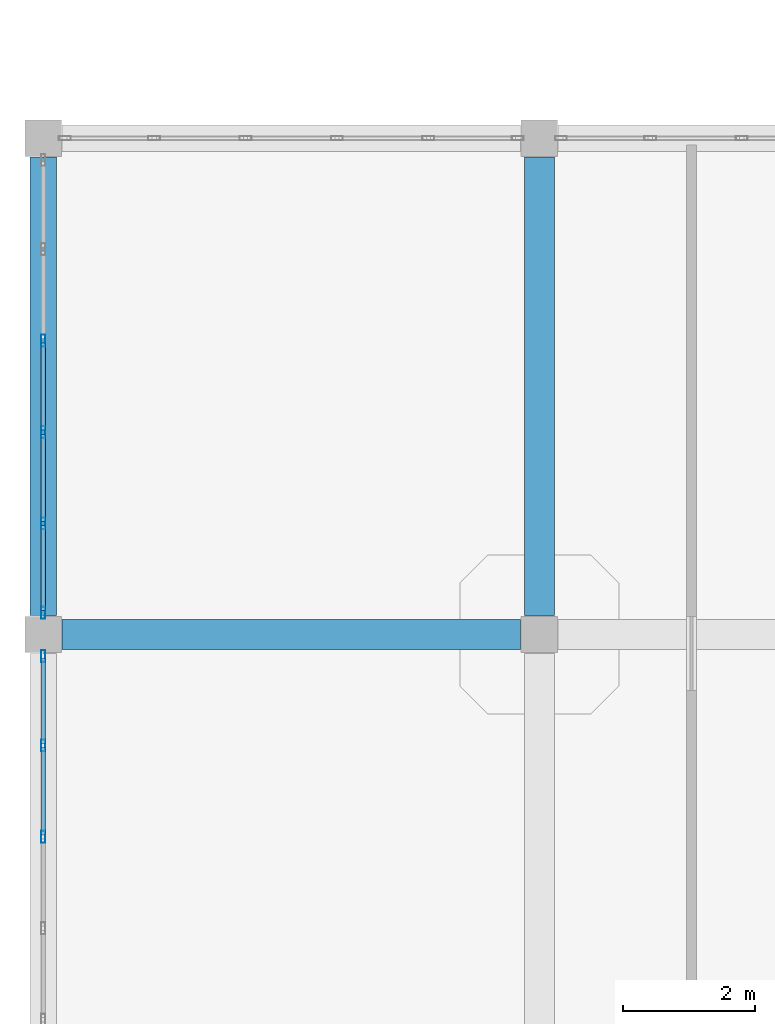
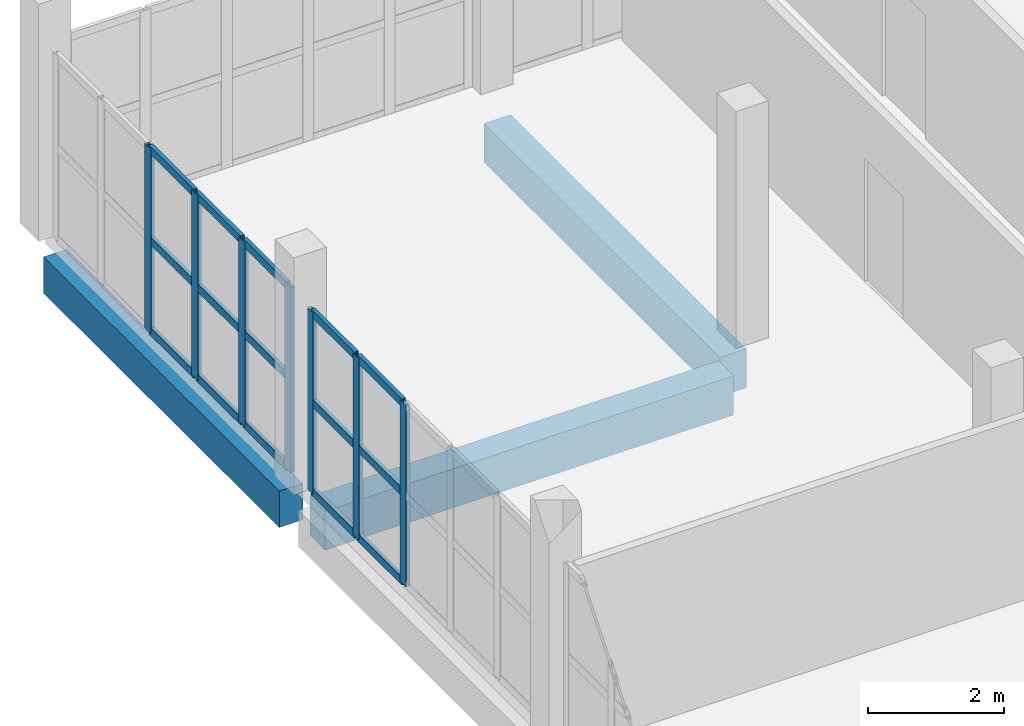
# One storey, part 65 of 164: 22 members, 3 beams, 2 elements without a shape of their own.
"""IFC4 building model written with IfcOpenShell, lengths in metres."""

from ifc_helpers import new_model, si_unit, direction, frame, origin, origin_2d, place, context, subcontext, project, spatial, rectangle, hollow_rectangle, extrude, material, layer, layer_set, material_profile, profile_set, type_object, element, aggregate, save


model = new_model("IFC4")

# Units and contexts
model_context = context("Model", 3, precision=1e-05, world=origin(), true_north=direction((0.0, 1.0)))
body_context = subcontext(model_context, "Body", "Model", "MODEL_VIEW")
ifc_project = project(units=[si_unit("LENGTHUNIT", "METRE"), si_unit("AREAUNIT", "SQUARE_METRE"), si_unit("VOLUMEUNIT", "CUBIC_METRE"), si_unit("PLANEANGLEUNIT", "RADIAN"), si_unit("MASSUNIT", "GRAM", prefix="KILO")], contexts=[model_context])

# Site, building, storey
site_placement = place(None, origin())
site = spatial("IfcSite", under=ifc_project, at=site_placement, CompositionType="ELEMENT")
building_placement = place(site_placement, origin())
building = spatial("IfcBuilding", under=site, at=building_placement, Name="Mawjan Specialist Oncology Clinic", CompositionType="ELEMENT")
storey_placement = place(building_placement, frame((0.0, 0.0, 5.0)))
storey = spatial("IfcBuildingStorey", under=building, at=storey_placement, Name="L01", CompositionType="ELEMENT", Elevation=5.0)

# Beams
ifc_material_1 = material(Name="Concrete C40/50", Category="concrete")
ifc_material_profile_1 = material_profile(ifc_material_1, rectangle(XDim=0.449951171875, YDim=0.699951171875, at=origin_2d()), Name="RC BM 450x700", Category="concrete")
ifc_profile_set_1 = profile_set([ifc_material_profile_1], Name="Concrete C40/50")
beam_type_1 = type_object("IfcBeamType", Name="BM-450x700", PredefinedType="BEAM", material=ifc_profile_set_1)
beam_1_placement = place(storey_placement, frame((0.284912109375, 68.300048828125, -0.8701171875), z_axis=(1.0, 0.0, 0.0), x_axis=(0.0, 1.0, 0.0)))
element("IfcBeam", 1, at=beam_1_placement, inside=storey, type_object=beam_type_1, Name="L01 Collector Beam BM-L01-0303", PredefinedType="BEAM", context=body_context, shape_type="SweptSolid", body=[
    extrude(rectangle(XDim=0.449951171875, YDim=0.699951171875, at=origin_2d()), origin(), (0.0, 0.0, 1.0), 6.93017578125),
])
beam_2_placement = place(storey_placement, frame((7.5, 68.5849609375, -0.8701171875), z_axis=(0.0, 1.0, 0.0), x_axis=(-1.0, 0.0, 0.0)))
element("IfcBeam", 2, at=beam_2_placement, inside=storey, type_object=beam_type_1, Name="L01 Collector Beam BM-L01-0436", PredefinedType="BEAM", context=body_context, shape_type="SweptSolid", body=[
    extrude(rectangle(XDim=0.449951171875, YDim=0.699951171875, at=origin_2d()), origin(), (0.0, 0.0, 1.0), 6.929931640625),
])

# Curtain wall, members
ifc_material_2 = material(Name="Unitised spectrally selective aluminium curtain wall", Category="aluminium")
ifc_layer_1 = layer(ifc_material_2, 0.179931640625, Name="Unitised spectrally selective aluminium curtain wall", Category="aluminium")
ifc_layer_set_1 = layer_set([ifc_layer_1], Name="Unitised spectrally selective aluminium curtain wall")
curtain_wall_type_1 = type_object("IfcCurtainWallType", Name="CW-77", PredefinedType="NOTDEFINED", material=ifc_layer_set_1)
curtain_wall_1_placement = place(storey_placement, origin())
curtain_wall_1 = element("IfcCurtainWall", 3, at=curtain_wall_1_placement, inside=storey, type_object=curtain_wall_type_1, Name="L01 Unitised Curtain Wall CW-L01-150", PredefinedType="NOTDEFINED")
ifc_material_3 = material(Name="Thermally broken aluminium 6063-T6", Category="aluminium")
ifc_material_profile_2 = material_profile(ifc_material_3, hollow_rectangle(XDim=0.06494140625, YDim=0.179931640625, WallThickness=0.00390625, at=origin_2d()), Name="ALU MULLION 180x65x4", Category="aluminium")
ifc_profile_set_2 = profile_set([ifc_material_profile_2], Name="Thermally broken aluminium 6063-T6")
member_type_1 = type_object("IfcMemberType", Name="CW-M180", PredefinedType="MULLION", material=ifc_profile_set_2)
member_1_placement = place(storey_placement, frame((0.0, 65.240966796875, 0.0), z_axis=(0.0, 0.0, 1.0), x_axis=(-1.0, 0.0, 0.0)))
member_1 = element("IfcMember", 4, at=member_1_placement, type_object=member_type_1, Name="CW-77 mullion 4", PredefinedType="MULLION", context=body_context, shape_type="SweptSolid", body=[
    extrude(hollow_rectangle(XDim=0.06494140625, YDim=0.179931640625, WallThickness=0.00390625, at=origin_2d()), origin(), (0.0, 0.0, 1.0), 3.264892578125),
])
member_2_placement = place(storey_placement, frame((0.0, 66.623046875, 0.0), z_axis=(0.0, 0.0, 1.0), x_axis=(-1.0, 0.0, 0.0)))
member_2 = element("IfcMember", 5, at=member_2_placement, type_object=member_type_1, Name="CW-77 mullion 5", PredefinedType="MULLION", context=body_context, shape_type="SweptSolid", body=[
    extrude(hollow_rectangle(XDim=0.06494140625, YDim=0.179931640625, WallThickness=0.00390625, at=origin_2d()), origin(), (0.0, 0.0, 1.0), 3.264892578125),
])
member_3_placement = place(storey_placement, frame((0.0, 67.972412109375, 0.0), z_axis=(0.0, 0.0, 1.0), x_axis=(-1.0, 0.0, 0.0)))
member_3 = element("IfcMember", 6, at=member_3_placement, type_object=member_type_1, Name="CW-77 mullion 6", PredefinedType="MULLION", context=body_context, shape_type="SweptSolid", body=[
    extrude(hollow_rectangle(XDim=0.06494140625, YDim=0.179931640625, WallThickness=0.00390625, at=origin_2d()), origin(), (0.0, 0.0, 1.0), 3.264892578125),
])

ifc_material_4 = material(Name="Unitised spectrally selective aluminium curtain wall", Category="aluminium")
ifc_layer_2 = layer(ifc_material_4, 0.179931640625, Name="Unitised spectrally selective aluminium curtain wall", Category="aluminium")
ifc_layer_set_2 = layer_set([ifc_layer_2], Name="Unitised spectrally selective aluminium curtain wall")
curtain_wall_type_2 = type_object("IfcCurtainWallType", Name="CW-78", PredefinedType="NOTDEFINED", material=ifc_layer_set_2)
curtain_wall_2_placement = place(storey_placement, origin())
curtain_wall_2 = element("IfcCurtainWall", 7, at=curtain_wall_2_placement, inside=storey, type_object=curtain_wall_type_2, Name="L01 Unitised Curtain Wall CW-L01-151", PredefinedType="NOTDEFINED")
member_4_placement = place(storey_placement, frame((0.0, 68.62744140625, 0.0), z_axis=(0.0, 0.0, 1.0), x_axis=(-1.0, 0.0, 0.0)))
member_4 = element("IfcMember", 8, at=member_4_placement, type_object=member_type_1, Name="CW-78 mullion 1", PredefinedType="MULLION", context=body_context, shape_type="SweptSolid", body=[
    extrude(hollow_rectangle(XDim=0.06494140625, YDim=0.179931640625, WallThickness=0.00390625, at=origin_2d()), origin(), (0.0, 0.0, 1.0), 3.31494140625),
])
member_5_placement = place(storey_placement, frame((0.0, 69.97705078125, 0.0), z_axis=(0.0, 0.0, 1.0), x_axis=(-1.0, 0.0, 0.0)))
member_5 = element("IfcMember", 9, at=member_5_placement, type_object=member_type_1, Name="CW-78 mullion 2", PredefinedType="MULLION", context=body_context, shape_type="SweptSolid", body=[
    extrude(hollow_rectangle(XDim=0.06494140625, YDim=0.179931640625, WallThickness=0.00390625, at=origin_2d()), origin(), (0.0, 0.0, 1.0), 3.31494140625),
])
member_6_placement = place(storey_placement, frame((0.0, 71.35888671875, 0.0), z_axis=(0.0, 0.0, 1.0), x_axis=(-1.0, 0.0, 0.0)))
member_6 = element("IfcMember", 10, at=member_6_placement, type_object=member_type_1, Name="CW-78 mullion 3", PredefinedType="MULLION", context=body_context, shape_type="SweptSolid", body=[
    extrude(hollow_rectangle(XDim=0.06494140625, YDim=0.179931640625, WallThickness=0.00390625, at=origin_2d()), origin(), (0.0, 0.0, 1.0), 3.31494140625),
])
member_7_placement = place(storey_placement, frame((0.0, 72.740966796875, 0.0), z_axis=(0.0, 0.0, 1.0), x_axis=(-1.0, 0.0, 0.0)))
member_7 = element("IfcMember", 11, at=member_7_placement, type_object=member_type_1, Name="CW-78 mullion 4", PredefinedType="MULLION", context=body_context, shape_type="SweptSolid", body=[
    extrude(hollow_rectangle(XDim=0.06494140625, YDim=0.179931640625, WallThickness=0.00390625, at=origin_2d()), origin(), (0.0, 0.0, 1.0), 3.31494140625),
])

# Member
ifc_material_5 = material(Name="Thermally broken aluminium 6063-T6", Category="aluminium")
ifc_material_profile_3 = material_profile(ifc_material_5, hollow_rectangle(XDim=0.06494140625, YDim=0.139892578125, WallThickness=0.00390625, at=origin_2d()), Name="ALU TRANSOM 140x65x4", Category="aluminium")
ifc_profile_set_3 = profile_set([ifc_material_profile_3], Name="Thermally broken aluminium 6063-T6")
member_type_2 = type_object("IfcMemberType", Name="CW-T140", PredefinedType="USERDEFINED", material=ifc_profile_set_3)
member_8_placement = place(storey_placement, frame((0.0, 65.2734375, 0.032470703125), z_axis=(0.0, 1.0, 0.0), x_axis=(-1.0, 0.0, 0.0)))
member_8 = element("IfcMember", 12, at=member_8_placement, type_object=member_type_2, Name="CW-77 transom 4.1", ObjectType="TRANSOM", PredefinedType="USERDEFINED", context=body_context, shape_type="SweptSolid", body=[
    extrude(hollow_rectangle(XDim=0.06494140625, YDim=0.139892578125, WallThickness=0.00390625, at=origin_2d()), origin(), (0.0, 0.0, 1.0), 1.317138671875),
])

member_9_placement = place(storey_placement, frame((0.0, 65.2734375, 1.632568359375), z_axis=(0.0, 1.0, 0.0), x_axis=(-1.0, 0.0, 0.0)))
member_9 = element("IfcMember", 13, at=member_9_placement, type_object=member_type_2, Name="CW-77 transom 4.2", ObjectType="TRANSOM", PredefinedType="USERDEFINED", context=body_context, shape_type="SweptSolid", body=[
    extrude(hollow_rectangle(XDim=0.06494140625, YDim=0.139892578125, WallThickness=0.00390625, at=origin_2d()), origin(), (0.0, 0.0, 1.0), 1.317138671875),
])

member_10_placement = place(storey_placement, frame((0.0, 65.2734375, 3.232421875), z_axis=(0.0, 1.0, 0.0), x_axis=(-1.0, 0.0, 0.0)))
member_10 = element("IfcMember", 14, at=member_10_placement, type_object=member_type_2, Name="CW-77 transom 4.3", ObjectType="TRANSOM", PredefinedType="USERDEFINED", context=body_context, shape_type="SweptSolid", body=[
    extrude(hollow_rectangle(XDim=0.06494140625, YDim=0.139892578125, WallThickness=0.00390625, at=origin_2d()), origin(), (0.0, 0.0, 1.0), 1.317138671875),
])

member_11_placement = place(storey_placement, frame((0.0, 66.655517578125, 0.032470703125), z_axis=(0.0, 1.0, 0.0), x_axis=(-1.0, 0.0, 0.0)))
member_11 = element("IfcMember", 15, at=member_11_placement, type_object=member_type_2, Name="CW-77 transom 5.1", ObjectType="TRANSOM", PredefinedType="USERDEFINED", context=body_context, shape_type="SweptSolid", body=[
    extrude(hollow_rectangle(XDim=0.06494140625, YDim=0.139892578125, WallThickness=0.00390625, at=origin_2d()), origin(), (0.0, 0.0, 1.0), 1.284423828125),
])

member_12_placement = place(storey_placement, frame((0.0, 66.655517578125, 1.632568359375), z_axis=(0.0, 1.0, 0.0), x_axis=(-1.0, 0.0, 0.0)))
member_12 = element("IfcMember", 16, at=member_12_placement, type_object=member_type_2, Name="CW-77 transom 5.2", ObjectType="TRANSOM", PredefinedType="USERDEFINED", context=body_context, shape_type="SweptSolid", body=[
    extrude(hollow_rectangle(XDim=0.06494140625, YDim=0.139892578125, WallThickness=0.00390625, at=origin_2d()), origin(), (0.0, 0.0, 1.0), 1.284423828125),
])

member_13_placement = place(storey_placement, frame((0.0, 66.655517578125, 3.232421875), z_axis=(0.0, 1.0, 0.0), x_axis=(-1.0, 0.0, 0.0)))
member_13 = element("IfcMember", 17, at=member_13_placement, type_object=member_type_2, Name="CW-77 transom 5.3", ObjectType="TRANSOM", PredefinedType="USERDEFINED", context=body_context, shape_type="SweptSolid", body=[
    extrude(hollow_rectangle(XDim=0.06494140625, YDim=0.139892578125, WallThickness=0.00390625, at=origin_2d()), origin(), (0.0, 0.0, 1.0), 1.284423828125),
])

aggregate(curtain_wall_1, [member_1, member_2, member_3, member_8, member_9, member_10, member_11, member_12, member_13])

member_14_placement = place(storey_placement, frame((0.0, 68.659912109375, 0.032470703125), z_axis=(0.0, 1.0, 0.0), x_axis=(-1.0, 0.0, 0.0)))
member_14 = element("IfcMember", 18, at=member_14_placement, type_object=member_type_2, Name="CW-78 transom 1.1", ObjectType="TRANSOM", PredefinedType="USERDEFINED", context=body_context, shape_type="SweptSolid", body=[
    extrude(hollow_rectangle(XDim=0.06494140625, YDim=0.139892578125, WallThickness=0.00390625, at=origin_2d()), origin(), (0.0, 0.0, 1.0), 1.28466796875),
])

member_15_placement = place(storey_placement, frame((0.0, 68.659912109375, 1.657470703125), z_axis=(0.0, 1.0, 0.0), x_axis=(-1.0, 0.0, 0.0)))
member_15 = element("IfcMember", 19, at=member_15_placement, type_object=member_type_2, Name="CW-78 transom 1.2", ObjectType="TRANSOM", PredefinedType="USERDEFINED", context=body_context, shape_type="SweptSolid", body=[
    extrude(hollow_rectangle(XDim=0.06494140625, YDim=0.139892578125, WallThickness=0.00390625, at=origin_2d()), origin(), (0.0, 0.0, 1.0), 1.28466796875),
])

member_16_placement = place(storey_placement, frame((0.0, 68.659912109375, 3.282470703125), z_axis=(0.0, 1.0, 0.0), x_axis=(-1.0, 0.0, 0.0)))
member_16 = element("IfcMember", 20, at=member_16_placement, type_object=member_type_2, Name="CW-78 transom 1.3", ObjectType="TRANSOM", PredefinedType="USERDEFINED", context=body_context, shape_type="SweptSolid", body=[
    extrude(hollow_rectangle(XDim=0.06494140625, YDim=0.139892578125, WallThickness=0.00390625, at=origin_2d()), origin(), (0.0, 0.0, 1.0), 1.28466796875),
])

member_17_placement = place(storey_placement, frame((0.0, 70.009521484375, 0.032470703125), z_axis=(0.0, 1.0, 0.0), x_axis=(-1.0, 0.0, 0.0)))
member_17 = element("IfcMember", 21, at=member_17_placement, type_object=member_type_2, Name="CW-78 transom 2.1", ObjectType="TRANSOM", PredefinedType="USERDEFINED", context=body_context, shape_type="SweptSolid", body=[
    extrude(hollow_rectangle(XDim=0.06494140625, YDim=0.139892578125, WallThickness=0.00390625, at=origin_2d()), origin(), (0.0, 0.0, 1.0), 1.31689453125),
])

member_18_placement = place(storey_placement, frame((0.0, 70.009521484375, 1.657470703125), z_axis=(0.0, 1.0, 0.0), x_axis=(-1.0, 0.0, 0.0)))
member_18 = element("IfcMember", 22, at=member_18_placement, type_object=member_type_2, Name="CW-78 transom 2.2", ObjectType="TRANSOM", PredefinedType="USERDEFINED", context=body_context, shape_type="SweptSolid", body=[
    extrude(hollow_rectangle(XDim=0.06494140625, YDim=0.139892578125, WallThickness=0.00390625, at=origin_2d()), origin(), (0.0, 0.0, 1.0), 1.31689453125),
])

member_19_placement = place(storey_placement, frame((0.0, 70.009521484375, 3.282470703125), z_axis=(0.0, 1.0, 0.0), x_axis=(-1.0, 0.0, 0.0)))
member_19 = element("IfcMember", 23, at=member_19_placement, type_object=member_type_2, Name="CW-78 transom 2.3", ObjectType="TRANSOM", PredefinedType="USERDEFINED", context=body_context, shape_type="SweptSolid", body=[
    extrude(hollow_rectangle(XDim=0.06494140625, YDim=0.139892578125, WallThickness=0.00390625, at=origin_2d()), origin(), (0.0, 0.0, 1.0), 1.31689453125),
])

member_20_placement = place(storey_placement, frame((0.0, 71.3916015625, 0.032470703125), z_axis=(0.0, 1.0, 0.0), x_axis=(-1.0, 0.0, 0.0)))
member_20 = element("IfcMember", 24, at=member_20_placement, type_object=member_type_2, Name="CW-78 transom 3.1", ObjectType="TRANSOM", PredefinedType="USERDEFINED", context=body_context, shape_type="SweptSolid", body=[
    extrude(hollow_rectangle(XDim=0.06494140625, YDim=0.139892578125, WallThickness=0.00390625, at=origin_2d()), origin(), (0.0, 0.0, 1.0), 1.31689453125),
])

member_21_placement = place(storey_placement, frame((0.0, 71.3916015625, 1.657470703125), z_axis=(0.0, 1.0, 0.0), x_axis=(-1.0, 0.0, 0.0)))
member_21 = element("IfcMember", 25, at=member_21_placement, type_object=member_type_2, Name="CW-78 transom 3.2", ObjectType="TRANSOM", PredefinedType="USERDEFINED", context=body_context, shape_type="SweptSolid", body=[
    extrude(hollow_rectangle(XDim=0.06494140625, YDim=0.139892578125, WallThickness=0.00390625, at=origin_2d()), origin(), (0.0, 0.0, 1.0), 1.31689453125),
])

member_22_placement = place(storey_placement, frame((0.0, 71.3916015625, 3.282470703125), z_axis=(0.0, 1.0, 0.0), x_axis=(-1.0, 0.0, 0.0)))
member_22 = element("IfcMember", 26, at=member_22_placement, type_object=member_type_2, Name="CW-78 transom 3.3", ObjectType="TRANSOM", PredefinedType="USERDEFINED", context=body_context, shape_type="SweptSolid", body=[
    extrude(hollow_rectangle(XDim=0.06494140625, YDim=0.139892578125, WallThickness=0.00390625, at=origin_2d()), origin(), (0.0, 0.0, 1.0), 1.31689453125),
])

aggregate(curtain_wall_2, [member_4, member_5, member_6, member_7, member_14, member_15, member_16, member_17, member_18, member_19, member_20, member_21, member_22])

# Beam
ifc_material_6 = material(Name="Concrete C45/55", Category="concrete")
ifc_material_profile_4 = material_profile(ifc_material_6, rectangle(XDim=0.39990234375, YDim=0.64990234375, at=origin_2d()), Name="RC BM 400x650", Category="concrete")
ifc_profile_set_4 = profile_set([ifc_material_profile_4], Name="Concrete C45/55")
beam_type_2 = type_object("IfcBeamType", Name="SP-400x650", PredefinedType="SPANDREL", material=ifc_profile_set_4)
beam_3_placement = place(storey_placement, frame((0.0, 68.5849609375, -0.625), z_axis=(0.0, 1.0, 0.0), x_axis=(-1.0, 0.0, 0.0)))
element("IfcBeam", 27, at=beam_3_placement, inside=storey, type_object=beam_type_2, Name="L01 Spandrel Beam BM-L01-0427", PredefinedType="SPANDREL", context=body_context, shape_type="SweptSolid", body=[
    extrude(rectangle(XDim=0.39990234375, YDim=0.64990234375, at=origin_2d()), origin(), (0.0, 0.0, 1.0), 6.929931640625),
])

save(model, "model.ifc")
